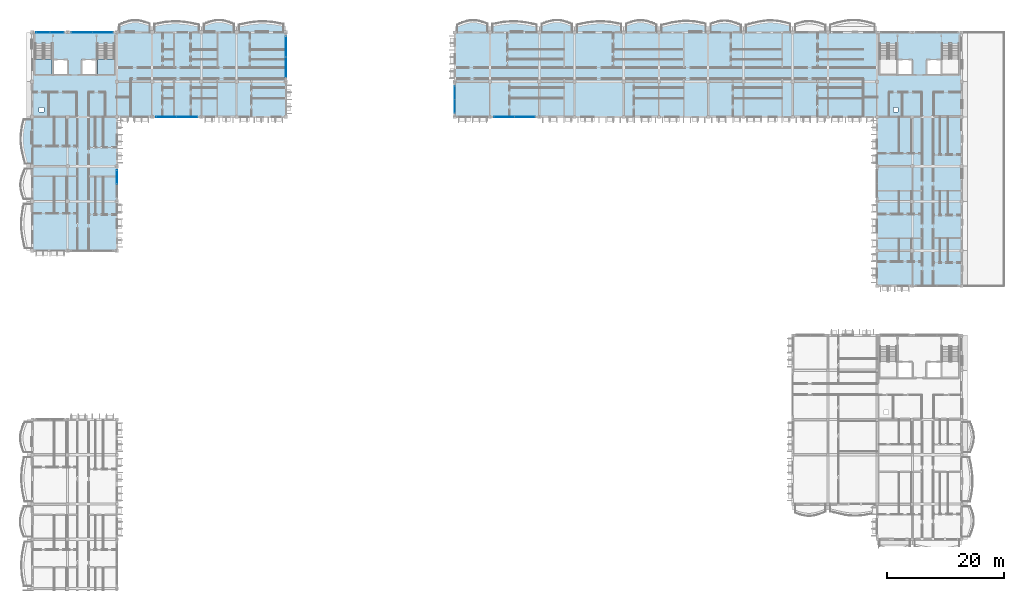
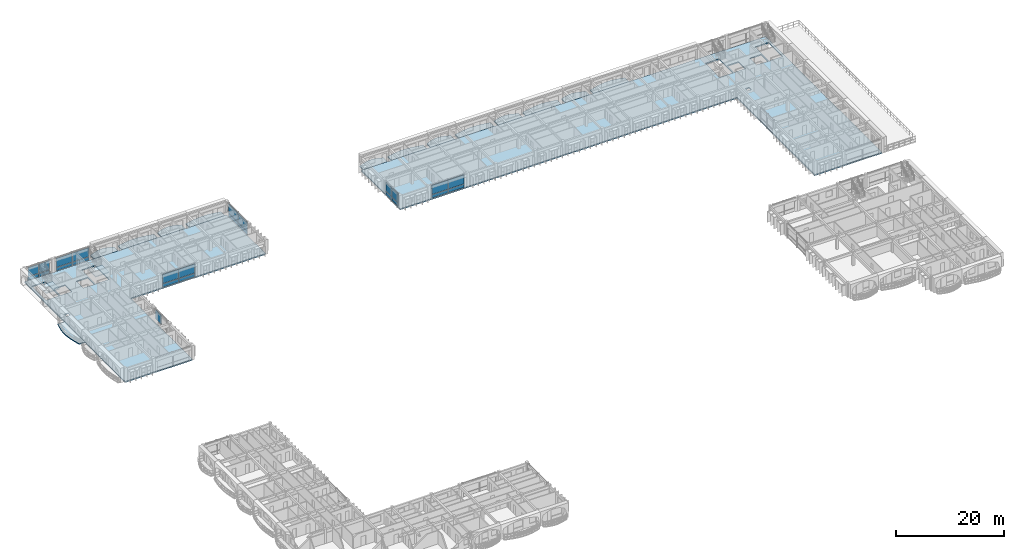
# One storey, part 19 of 68: 25 plates, 17 slabs, 9 elements without a shape of their own.
"""IFC4 building model written with IfcOpenShell, lengths in metres."""

from ifc_helpers import new_model, si_unit, direction, frame, origin, origin_2d, place, context, subcontext, project, spatial, polyline, rectangle, outline, extrude, material, layer, layer_set, type_object, element, aggregate, save


model = new_model("IFC4")

# Units and contexts
model_context = context("Model", 3, precision=1e-05, world=origin(), true_north=direction((0.0, 1.0)))
body_context = subcontext(model_context, "Body", "Model", "MODEL_VIEW")
ifc_project = project(units=[si_unit("LENGTHUNIT", "METRE"), si_unit("AREAUNIT", "SQUARE_METRE"), si_unit("VOLUMEUNIT", "CUBIC_METRE"), si_unit("PLANEANGLEUNIT", "RADIAN"), si_unit("MASSUNIT", "GRAM", prefix="KILO"), si_unit("THERMODYNAMICTEMPERATUREUNIT", "KELVIN")], contexts=[model_context])

# Site, building, storey
site_placement = place(None, origin())
site = spatial("IfcSite", under=ifc_project, at=site_placement, CompositionType="ELEMENT")
building_placement = place(site_placement, origin())
building = spatial("IfcBuilding", under=site, at=building_placement, Name="Thalorik Housing Commons", CompositionType="ELEMENT")
storey_placement = place(building_placement, frame((0.0, 0.0, 24.60009765625)))
storey = spatial("IfcBuildingStorey", under=building, at=storey_placement, Name="L07", CompositionType="ELEMENT", Elevation=24.60009765625)

# Curtain wall, plates
ifc_material_1 = material(Name="Anodised aluminium and solar-control low-E glass", Category="aluminium")
curtain_wall_type_1 = type_object("IfcCurtainWallType", Name="ARC-CW-LOUNGE", PredefinedType="USERDEFINED", material=ifc_material_1)
curtain_wall_1_placement = place(storey_placement, origin())
curtain_wall_1 = element("IfcCurtainWall", 1, at=curtain_wall_1_placement, inside=storey, type_object=curtain_wall_type_1, Name="L07 Curtain Wall CW-RES-L07-A-030", ObjectType="CURTAIN WALL", PredefinedType="USERDEFINED")
ifc_material_2 = material(Name="Cobalt blue enamelled aluminium spandrel panel", Category="aluminium")
ifc_layer_1 = layer(ifc_material_2, 0.0458984375, Name="Cobalt blue enamelled aluminium spandrel panel", Category="aluminium")
ifc_layer_set_1 = layer_set([ifc_layer_1], Name="Cobalt blue enamelled aluminium spandrel panel")
plate_type_1 = type_object("IfcPlateType", Name="ARC-CP-BLU-46", PredefinedType="CURTAIN_PANEL", material=ifc_layer_set_1)
plate_1_placement = place(storey_placement, frame((51.60009765625, 117.64990234375, 0.080078125), z_axis=(0.0, 0.0, 1.0), x_axis=(0.0, 1.0, 0.0)))
plate_1 = element("IfcPlate", 2, at=plate_1_placement, type_object=plate_type_1, Name="CW-RES-L07-A-030 Spandrel Panel 1", PredefinedType="CURTAIN_PANEL", context=body_context, shape_type="SweptSolid", body=[
    extrude(rectangle(XDim=3.43994140625, YDim=0.0458984375, at=origin_2d()), origin(), (0.0, 0.0, 1.0), 0.760009765625),
])
plate_2_placement = place(storey_placement, frame((51.60009765625, 121.14990234375, 0.080078125), z_axis=(0.0, 0.0, 1.0), x_axis=(0.0, 1.0, 0.0)))
plate_2 = element("IfcPlate", 3, at=plate_2_placement, type_object=plate_type_1, Name="CW-RES-L07-A-030 Spandrel Panel 2", PredefinedType="CURTAIN_PANEL", context=body_context, shape_type="SweptSolid", body=[
    extrude(rectangle(XDim=3.43994140625, YDim=0.0458984375, at=origin_2d()), origin(), (0.0, 0.0, 1.0), 0.760009765625),
])

curtain_wall_type_2 = type_object("IfcCurtainWallType", Name="ARC-CW-CORE", PredefinedType="USERDEFINED", material=ifc_material_1)
curtain_wall_2_placement = place(storey_placement, origin())
curtain_wall_2 = element("IfcCurtainWall", 4, at=curtain_wall_2_placement, inside=storey, type_object=curtain_wall_type_2, Name="L07 Curtain Wall CW-CORE-L07-A-032", ObjectType="CURTAIN WALL", PredefinedType="USERDEFINED")
plate_3_placement = place(storey_placement, frame((12.574951171875, 123.60009765625, 0.080078125), z_axis=(0.0, 0.0, 1.0), x_axis=(-1.0, 0.0, 0.0)))
plate_3 = element("IfcPlate", 5, at=plate_3_placement, type_object=plate_type_1, Name="CW-CORE-L07-A-032 Spandrel Panel 1", PredefinedType="CURTAIN_PANEL", context=body_context, shape_type="SweptSolid", body=[
    extrude(rectangle(XDim=2.2900390625, YDim=0.0458984375, at=origin_2d()), origin(), (0.0, 0.0, 1.0), 0.760009765625),
])
plate_4_placement = place(storey_placement, frame((10.22509765625, 123.60009765625, 0.080078125), z_axis=(0.0, 0.0, 1.0), x_axis=(-1.0, 0.0, 0.0)))
plate_4 = element("IfcPlate", 6, at=plate_4_placement, type_object=plate_type_1, Name="CW-CORE-L07-A-032 Spandrel Panel 2", PredefinedType="CURTAIN_PANEL", context=body_context, shape_type="SweptSolid", body=[
    extrude(rectangle(XDim=2.2900390625, YDim=0.0458984375, at=origin_2d()), origin(), (0.0, 0.0, 1.0), 0.760009765625),
])

curtain_wall_3_placement = place(storey_placement, origin())
curtain_wall_3 = element("IfcCurtainWall", 7, at=curtain_wall_3_placement, inside=storey, type_object=curtain_wall_type_1, Name="L07 Curtain Wall CW-RES-L07-B-104", ObjectType="CURTAIN WALL", PredefinedType="USERDEFINED")
plate_5_placement = place(storey_placement, frame((88.85009765625, 109.199951171875, 0.080078125), z_axis=(0.0, 0.0, 1.0), x_axis=(1.0, 0.0, 0.0)))
plate_5 = element("IfcPlate", 8, at=plate_5_placement, type_object=plate_type_1, Name="CW-RES-L07-B-104 Spandrel Panel 1", PredefinedType="CURTAIN_PANEL", context=body_context, shape_type="SweptSolid", body=[
    extrude(rectangle(XDim=3.43994140625, YDim=0.0458984375, at=origin_2d()), origin(), (0.0, 0.0, 1.0), 0.760009765625),
])
plate_6_placement = place(storey_placement, frame((92.35009765625, 109.199951171875, 0.080078125), z_axis=(0.0, 0.0, 1.0), x_axis=(1.0, 0.0, 0.0)))
plate_6 = element("IfcPlate", 9, at=plate_6_placement, type_object=plate_type_1, Name="CW-RES-L07-B-104 Spandrel Panel 2", PredefinedType="CURTAIN_PANEL", context=body_context, shape_type="SweptSolid", body=[
    extrude(rectangle(XDim=3.43994140625, YDim=0.0458984375, at=origin_2d()), origin(), (0.0, 0.0, 1.0), 0.760009765625),
])

curtain_wall_4_placement = place(storey_placement, origin())
curtain_wall_4 = element("IfcCurtainWall", 10, at=curtain_wall_4_placement, inside=storey, type_object=curtain_wall_type_1, Name="L07 Curtain Wall CW-RES-L07-A-029", ObjectType="CURTAIN WALL", PredefinedType="USERDEFINED")
ifc_material_3 = material(Name="Double solar-control low-E glass", Category="glass")
ifc_layer_2 = layer(ifc_material_3, 0.028076171875, Name="Double solar-control low-E glass", Category="glass")
ifc_layer_set_2 = layer_set([ifc_layer_2], Name="Double solar-control low-E glass")
plate_type_2 = type_object("IfcPlateType", Name="ARC-CP-GLZ-28", PredefinedType="CURTAIN_PANEL", material=ifc_layer_set_2)
plate_7_placement = place(storey_placement, frame((31.25, 109.199951171875, 0.919921875), z_axis=(0.0, 0.0, 1.0), x_axis=(1.0, 0.0, 0.0)))
plate_7 = element("IfcPlate", 11, at=plate_7_placement, type_object=plate_type_2, Name="CW-RES-L07-A-029 Vision Panel 1", PredefinedType="CURTAIN_PANEL", context=body_context, shape_type="SweptSolid", body=[
    extrude(rectangle(XDim=3.43994140625, YDim=0.028076171875, at=origin_2d()), origin(), (0.0, 0.0, 1.0), 2.0400390625),
])
plate_8_placement = place(storey_placement, frame((34.75, 109.199951171875, 0.919921875), z_axis=(0.0, 0.0, 1.0), x_axis=(1.0, 0.0, 0.0)))
plate_8 = element("IfcPlate", 12, at=plate_8_placement, type_object=plate_type_2, Name="CW-RES-L07-A-029 Vision Panel 2", PredefinedType="CURTAIN_PANEL", context=body_context, shape_type="SweptSolid", body=[
    extrude(rectangle(XDim=3.43994140625, YDim=0.028076171875, at=origin_2d()), origin(), (0.0, 0.0, 1.0), 2.0400390625),
])

# Plate
plate_9_placement = place(storey_placement, frame((51.60009765625, 117.64990234375, 0.919921875), z_axis=(0.0, 0.0, 1.0), x_axis=(0.0, 1.0, 0.0)))
plate_9 = element("IfcPlate", 13, at=plate_9_placement, type_object=plate_type_2, Name="CW-RES-L07-A-030 Vision Panel 1", PredefinedType="CURTAIN_PANEL", context=body_context, shape_type="SweptSolid", body=[
    extrude(rectangle(XDim=3.43994140625, YDim=0.028076171875, at=origin_2d()), origin(), (0.0, 0.0, 1.0), 2.0400390625),
])

plate_10_placement = place(storey_placement, frame((51.60009765625, 121.14990234375, 0.919921875), z_axis=(0.0, 0.0, 1.0), x_axis=(0.0, 1.0, 0.0)))
plate_10 = element("IfcPlate", 14, at=plate_10_placement, type_object=plate_type_2, Name="CW-RES-L07-A-030 Vision Panel 2", PredefinedType="CURTAIN_PANEL", context=body_context, shape_type="SweptSolid", body=[
    extrude(rectangle(XDim=3.43994140625, YDim=0.028076171875, at=origin_2d()), origin(), (0.0, 0.0, 1.0), 2.0400390625),
])

aggregate(curtain_wall_1, [plate_1, plate_9, plate_2, plate_10])

# Curtain wall, plates
curtain_wall_5_placement = place(storey_placement, origin())
curtain_wall_5 = element("IfcCurtainWall", 15, at=curtain_wall_5_placement, inside=storey, type_object=curtain_wall_type_2, Name="L07 Curtain Wall CW-CORE-L07-A-031", ObjectType="CURTAIN WALL", PredefinedType="USERDEFINED")
plate_11_placement = place(storey_placement, frame((20.375, 123.60009765625, 0.919921875), z_axis=(0.0, 0.0, 1.0), x_axis=(-1.0, 0.0, 0.0)))
plate_11 = element("IfcPlate", 16, at=plate_11_placement, type_object=plate_type_2, Name="CW-CORE-L07-A-031 Vision Panel 1", PredefinedType="CURTAIN_PANEL", context=body_context, shape_type="SweptSolid", body=[
    extrude(rectangle(XDim=3.489990234375, YDim=0.028076171875, at=origin_2d()), origin(), (0.0, 0.0, 1.0), 2.0400390625),
])
plate_12_placement = place(storey_placement, frame((16.824951171875, 123.60009765625, 0.919921875), z_axis=(0.0, 0.0, 1.0), x_axis=(-1.0, 0.0, 0.0)))
plate_12 = element("IfcPlate", 17, at=plate_12_placement, type_object=plate_type_2, Name="CW-CORE-L07-A-031 Vision Panel 2", PredefinedType="CURTAIN_PANEL", context=body_context, shape_type="SweptSolid", body=[
    extrude(rectangle(XDim=3.489990234375, YDim=0.028076171875, at=origin_2d()), origin(), (0.0, 0.0, 1.0), 2.0400390625),
])

# Plate
plate_13_placement = place(storey_placement, frame((12.574951171875, 123.60009765625, 0.919921875), z_axis=(0.0, 0.0, 1.0), x_axis=(-1.0, 0.0, 0.0)))
plate_13 = element("IfcPlate", 18, at=plate_13_placement, type_object=plate_type_2, Name="CW-CORE-L07-A-032 Vision Panel 1", PredefinedType="CURTAIN_PANEL", context=body_context, shape_type="SweptSolid", body=[
    extrude(rectangle(XDim=2.2900390625, YDim=0.028076171875, at=origin_2d()), origin(), (0.0, 0.0, 1.0), 2.0400390625),
])

plate_14_placement = place(storey_placement, frame((10.22509765625, 123.60009765625, 0.919921875), z_axis=(0.0, 0.0, 1.0), x_axis=(-1.0, 0.0, 0.0)))
plate_14 = element("IfcPlate", 19, at=plate_14_placement, type_object=plate_type_2, Name="CW-CORE-L07-A-032 Vision Panel 2", PredefinedType="CURTAIN_PANEL", context=body_context, shape_type="SweptSolid", body=[
    extrude(rectangle(XDim=2.2900390625, YDim=0.028076171875, at=origin_2d()), origin(), (0.0, 0.0, 1.0), 2.0400390625),
])

aggregate(curtain_wall_2, [plate_3, plate_13, plate_4, plate_14])

# Curtain wall, plate
curtain_wall_6_placement = place(storey_placement, origin())
curtain_wall_6 = element("IfcCurtainWall", 20, at=curtain_wall_6_placement, inside=storey, type_object=curtain_wall_type_1, Name="L07 Curtain Wall CW-RES-L07-A-035", ObjectType="CURTAIN WALL", PredefinedType="USERDEFINED")
plate_15_placement = place(storey_placement, frame((22.800048828125, 98.949951171875, 0.919921875), z_axis=(0.0, 0.0, 1.0), x_axis=(0.0, 1.0, 0.0)))
plate_15 = element("IfcPlate", 21, at=plate_15_placement, type_object=plate_type_2, Name="CW-RES-L07-A-035 Vision Panel 2", PredefinedType="CURTAIN_PANEL", context=body_context, shape_type="SweptSolid", body=[
    extrude(rectangle(XDim=2.239990234375, YDim=0.028076171875, at=origin_2d()), origin(), (0.0, 0.0, 1.0), 2.0400390625),
])
aggregate(curtain_wall_6, [plate_15])

# Curtain wall, plates
curtain_wall_7_placement = place(storey_placement, origin())
curtain_wall_7 = element("IfcCurtainWall", 22, at=curtain_wall_7_placement, inside=storey, type_object=curtain_wall_type_1, Name="L07 Curtain Wall CW-RES-L07-B-103", ObjectType="CURTAIN WALL", PredefinedType="USERDEFINED")
plate_16_placement = place(storey_placement, frame((80.39990234375, 113.35009765625, 0.919921875), z_axis=(0.0, 0.0, 1.0), x_axis=(0.0, -1.0, 0.0)))
plate_16 = element("IfcPlate", 23, at=plate_16_placement, type_object=plate_type_2, Name="CW-RES-L07-B-103 Vision Panel 1", PredefinedType="CURTAIN_PANEL", context=body_context, shape_type="SweptSolid", body=[
    extrude(rectangle(XDim=2.239990234375, YDim=0.028076171875, at=origin_2d()), origin(), (0.0, 0.0, 1.0), 2.0400390625),
])
plate_17_placement = place(storey_placement, frame((80.39990234375, 111.050048828125, 0.919921875), z_axis=(0.0, 0.0, 1.0), x_axis=(0.0, -1.0, 0.0)))
plate_17 = element("IfcPlate", 24, at=plate_17_placement, type_object=plate_type_2, Name="CW-RES-L07-B-103 Vision Panel 2", PredefinedType="CURTAIN_PANEL", context=body_context, shape_type="SweptSolid", body=[
    extrude(rectangle(XDim=2.239990234375, YDim=0.028076171875, at=origin_2d()), origin(), (0.0, 0.0, 1.0), 2.0400390625),
])

# Plate
plate_18_placement = place(storey_placement, frame((88.85009765625, 109.199951171875, 0.919921875), z_axis=(0.0, 0.0, 1.0), x_axis=(1.0, 0.0, 0.0)))
plate_18 = element("IfcPlate", 25, at=plate_18_placement, type_object=plate_type_2, Name="CW-RES-L07-B-104 Vision Panel 1", PredefinedType="CURTAIN_PANEL", context=body_context, shape_type="SweptSolid", body=[
    extrude(rectangle(XDim=3.43994140625, YDim=0.028076171875, at=origin_2d()), origin(), (0.0, 0.0, 1.0), 2.0400390625),
])

plate_19_placement = place(storey_placement, frame((92.35009765625, 109.199951171875, 0.919921875), z_axis=(0.0, 0.0, 1.0), x_axis=(1.0, 0.0, 0.0)))
plate_19 = element("IfcPlate", 26, at=plate_19_placement, type_object=plate_type_2, Name="CW-RES-L07-B-104 Vision Panel 2", PredefinedType="CURTAIN_PANEL", context=body_context, shape_type="SweptSolid", body=[
    extrude(rectangle(XDim=3.43994140625, YDim=0.028076171875, at=origin_2d()), origin(), (0.0, 0.0, 1.0), 2.0400390625),
])

aggregate(curtain_wall_3, [plate_5, plate_18, plate_6, plate_19])

ifc_material_4 = material(Name="Oxide red enamelled aluminium spandrel panel", Category="aluminium")
ifc_layer_3 = layer(ifc_material_4, 0.0419921875, Name="Oxide red enamelled aluminium spandrel panel", Category="aluminium")
ifc_layer_set_3 = layer_set([ifc_layer_3], Name="Oxide red enamelled aluminium spandrel panel")
plate_type_3 = type_object("IfcPlateType", Name="ARC-CP-RED-42", PredefinedType="CURTAIN_PANEL", material=ifc_layer_set_3)
plate_20_placement = place(storey_placement, frame((31.25, 109.199951171875, 0.080078125), z_axis=(0.0, 0.0, 1.0), x_axis=(1.0, 0.0, 0.0)))
plate_20 = element("IfcPlate", 27, at=plate_20_placement, type_object=plate_type_3, Name="CW-RES-L07-A-029 Spandrel Panel 1", PredefinedType="CURTAIN_PANEL", context=body_context, shape_type="SweptSolid", body=[
    extrude(rectangle(XDim=3.43994140625, YDim=0.0419921875, at=origin_2d()), origin(), (0.0, 0.0, 1.0), 0.760009765625),
])

plate_21_placement = place(storey_placement, frame((34.75, 109.199951171875, 0.080078125), z_axis=(0.0, 0.0, 1.0), x_axis=(1.0, 0.0, 0.0)))
plate_21 = element("IfcPlate", 28, at=plate_21_placement, type_object=plate_type_3, Name="CW-RES-L07-A-029 Spandrel Panel 2", PredefinedType="CURTAIN_PANEL", context=body_context, shape_type="SweptSolid", body=[
    extrude(rectangle(XDim=3.43994140625, YDim=0.0419921875, at=origin_2d()), origin(), (0.0, 0.0, 1.0), 0.760009765625),
])

aggregate(curtain_wall_4, [plate_20, plate_7, plate_21, plate_8])

plate_22_placement = place(storey_placement, frame((20.375, 123.60009765625, 0.080078125), z_axis=(0.0, 0.0, 1.0), x_axis=(-1.0, 0.0, 0.0)))
plate_22 = element("IfcPlate", 29, at=plate_22_placement, type_object=plate_type_3, Name="CW-CORE-L07-A-031 Spandrel Panel 1", PredefinedType="CURTAIN_PANEL", context=body_context, shape_type="SweptSolid", body=[
    extrude(rectangle(XDim=3.489990234375, YDim=0.0419921875, at=origin_2d()), origin(), (0.0, 0.0, 1.0), 0.760009765625),
])

plate_23_placement = place(storey_placement, frame((16.824951171875, 123.60009765625, 0.080078125), z_axis=(0.0, 0.0, 1.0), x_axis=(-1.0, 0.0, 0.0)))
plate_23 = element("IfcPlate", 30, at=plate_23_placement, type_object=plate_type_3, Name="CW-CORE-L07-A-031 Spandrel Panel 2", PredefinedType="CURTAIN_PANEL", context=body_context, shape_type="SweptSolid", body=[
    extrude(rectangle(XDim=3.489990234375, YDim=0.0419921875, at=origin_2d()), origin(), (0.0, 0.0, 1.0), 0.760009765625),
])

aggregate(curtain_wall_5, [plate_22, plate_11, plate_23, plate_12])

ifc_material_5 = material(Name="Mineral ochre yellow aluminium spandrel panel", Category="aluminium")
ifc_layer_4 = layer(ifc_material_5, 0.050048828125, Name="Mineral ochre yellow aluminium spandrel panel", Category="aluminium")
ifc_layer_set_4 = layer_set([ifc_layer_4], Name="Mineral ochre yellow aluminium spandrel panel")
plate_type_4 = type_object("IfcPlateType", Name="ARC-CP-YEL-50", PredefinedType="CURTAIN_PANEL", material=ifc_layer_set_4)
plate_24_placement = place(storey_placement, frame((80.39990234375, 113.35009765625, 0.080078125), z_axis=(0.0, 0.0, 1.0), x_axis=(0.0, -1.0, 0.0)))
plate_24 = element("IfcPlate", 31, at=plate_24_placement, type_object=plate_type_4, Name="CW-RES-L07-B-103 Spandrel Panel 1", PredefinedType="CURTAIN_PANEL", context=body_context, shape_type="SweptSolid", body=[
    extrude(rectangle(XDim=2.239990234375, YDim=0.050048828125, at=origin_2d()), origin(), (0.0, 0.0, 1.0), 0.760009765625),
])

plate_25_placement = place(storey_placement, frame((80.39990234375, 111.050048828125, 0.080078125), z_axis=(0.0, 0.0, 1.0), x_axis=(0.0, -1.0, 0.0)))
plate_25 = element("IfcPlate", 32, at=plate_25_placement, type_object=plate_type_4, Name="CW-RES-L07-B-103 Spandrel Panel 2", PredefinedType="CURTAIN_PANEL", context=body_context, shape_type="SweptSolid", body=[
    extrude(rectangle(XDim=2.239990234375, YDim=0.050048828125, at=origin_2d()), origin(), (0.0, 0.0, 1.0), 0.760009765625),
])

aggregate(curtain_wall_7, [plate_24, plate_16, plate_25, plate_17])

# Stair, slab
ifc_material_6 = material(Name="Precast concrete C40/50", Category="concrete")
stair_type = type_object("IfcStairType", Name="ARC-STR-1350-R20", PredefinedType="HALF_TURN_STAIR", material=ifc_material_6)
stair_1_placement = place(storey_placement, origin())
stair_1 = element("IfcStair", 33, at=stair_1_placement, inside=storey, type_object=stair_type, Name="L07 Block A Smoke-Proof Stair 1", PredefinedType="HALF_TURN_STAIR")
ifc_layer_5 = layer(ifc_material_6, 0.199951171875, Name="Precast concrete C40/50", Category="concrete")
ifc_layer_set_5 = layer_set([ifc_layer_5], Name="Precast concrete C40/50")
slab_type_1 = type_object("IfcSlabType", Name="ARC-SLB-STLND-200", PredefinedType="LANDING", material=ifc_layer_set_5)
slab_1_placement = place(storey_placement, frame((0.0, 0.0, 1.449951171875)))
slab_1 = element("IfcSlab", 34, at=slab_1_placement, type_object=slab_type_1, Name="ST-A1 landing 1", PredefinedType="LANDING", context=body_context, shape_type="SweptSolid", body=[
    extrude(outline(polyline([(8.85009765625, 119.090087890625), (8.85009765625, 116.449951171875), (11.75, 116.449951171875), (11.75, 119.090087890625), (8.85009765625, 119.090087890625)])), origin(), (0.0, 0.0, 1.0), 0.199951171875),
])
aggregate(stair_1, [slab_1])

stair_2_placement = place(storey_placement, origin())
stair_2 = element("IfcStair", 35, at=stair_2_placement, inside=storey, type_object=stair_type, Name="L07 Block A Smoke-Proof Stair 2", PredefinedType="HALF_TURN_STAIR")
slab_2_placement = place(storey_placement, frame((0.0, 0.0, 1.449951171875)))
slab_2 = element("IfcSlab", 36, at=slab_2_placement, type_object=slab_type_1, Name="ST-A2 landing 1", PredefinedType="LANDING", context=body_context, shape_type="SweptSolid", body=[
    extrude(outline(polyline([(19.449951171875, 119.090087890625), (19.449951171875, 116.449951171875), (22.35009765625, 116.449951171875), (22.35009765625, 119.090087890625), (19.449951171875, 119.090087890625)])), origin(), (0.0, 0.0, 1.0), 0.199951171875),
])
aggregate(stair_2, [slab_2])

# Slabs
ifc_layer_6 = layer(ifc_material_6, 0.199951171875, Name="Precast concrete C40/50", Category="concrete")
ifc_layer_set_6 = layer_set([ifc_layer_6], Name="Precast concrete C40/50")
slab_type_2 = type_object("IfcSlabType", Name="STR-SLB-BALC-200", PredefinedType="FLOOR", material=ifc_layer_set_6)
slab_3_placement = place(storey_placement, frame((0.0, 0.0, -0.2001953125)))
element("IfcSlab", 37, at=slab_3_placement, inside=storey, type_object=slab_type_2, Name="L07 Block A Cushion Balcony 48", PredefinedType="FLOOR", context=body_context, shape_type="SweptSolid", body=[
    extrude(outline(polyline([(23.219970703125, 123.60009765625), (28.3798828125, 123.60009765625), (28.3798828125, 125.081298828125), (27.949951171875, 125.2451171875), (27.52001953125, 125.393798828125), (27.090087890625, 125.517822265625), (26.659912109375, 125.608154296875), (26.22998046875, 125.658447265625), (25.800048828125, 125.6650390625), (25.3701171875, 125.627197265625), (24.93994140625, 125.54638671875), (24.510009765625, 125.427978515625), (24.080078125, 125.279296875), (23.64990234375, 125.109375), (23.219970703125, 124.92919921875), (23.219970703125, 123.60009765625)])), origin(), (0.0, 0.0, 1.0), 0.2001953125),
])
slab_4_placement = place(storey_placement, frame((0.0, 0.0, -0.2001953125)))
element("IfcSlab", 38, at=slab_4_placement, inside=storey, type_object=slab_type_2, Name="L07 Block A Cushion Balcony 50", PredefinedType="FLOOR", context=body_context, shape_type="SweptSolid", body=[
    extrude(outline(polyline([(37.6201171875, 123.60009765625), (42.780029296875, 123.60009765625), (42.780029296875, 125.020263671875), (42.35009765625, 125.19775390625), (41.919921875, 125.362060546875), (41.489990234375, 125.50244140625), (41.06005859375, 125.609619140625), (40.6298828125, 125.677001953125), (40.199951171875, 125.699951171875), (39.77001953125, 125.677001953125), (39.340087890625, 125.609619140625), (38.909912109375, 125.50244140625), (38.47998046875, 125.362060546875), (38.050048828125, 125.19775390625), (37.6201171875, 125.020263671875), (37.6201171875, 123.60009765625)])), origin(), (0.0, 0.0, 1.0), 0.2001953125),
])
slab_5_placement = place(storey_placement, frame((0.0, 0.0, -0.2001953125)))
element("IfcSlab", 39, at=slab_5_placement, inside=storey, type_object=slab_type_2, Name="L07 Block B Cushion Balcony 186", PredefinedType="FLOOR", context=body_context, shape_type="SweptSolid", body=[
    extrude(outline(polyline([(80.820068359375, 123.60009765625), (85.97998046875, 123.60009765625), (85.97998046875, 125.081298828125), (85.550048828125, 125.2451171875), (85.1201171875, 125.393798828125), (84.68994140625, 125.517822265625), (84.260009765625, 125.608154296875), (83.830078125, 125.658447265625), (83.39990234375, 125.6650390625), (82.969970703125, 125.627197265625), (82.5400390625, 125.54638671875), (82.110107421875, 125.427978515625), (81.679931640625, 125.279296875), (81.25, 125.109375), (80.820068359375, 124.92919921875), (80.820068359375, 123.60009765625)])), origin(), (0.0, 0.0, 1.0), 0.2001953125),
])
slab_6_placement = place(storey_placement, frame((0.0, 0.0, -0.2001953125)))
element("IfcSlab", 40, at=slab_6_placement, inside=storey, type_object=slab_type_2, Name="L07 Block B Cushion Balcony 188", PredefinedType="FLOOR", context=body_context, shape_type="SweptSolid", body=[
    extrude(outline(polyline([(95.219970703125, 123.60009765625), (100.3798828125, 123.60009765625), (100.3798828125, 125.020263671875), (99.949951171875, 125.19775390625), (99.52001953125, 125.362060546875), (99.090087890625, 125.50244140625), (98.659912109375, 125.609619140625), (98.22998046875, 125.677001953125), (97.800048828125, 125.699951171875), (97.3701171875, 125.677001953125), (96.93994140625, 125.609619140625), (96.510009765625, 125.50244140625), (96.080078125, 125.362060546875), (95.64990234375, 125.19775390625), (95.219970703125, 125.020263671875), (95.219970703125, 123.60009765625)])), origin(), (0.0, 0.0, 1.0), 0.2001953125),
])
slab_7_placement = place(storey_placement, frame((0.0, 0.0, -0.2001953125)))
element("IfcSlab", 41, at=slab_7_placement, inside=storey, type_object=slab_type_2, Name="L07 Block B Cushion Balcony 190", PredefinedType="FLOOR", context=body_context, shape_type="SweptSolid", body=[
    extrude(outline(polyline([(109.6201171875, 123.60009765625), (114.780029296875, 123.60009765625), (114.780029296875, 124.92919921875), (114.35009765625, 125.109375), (113.919921875, 125.279296875), (113.489990234375, 125.427978515625), (113.06005859375, 125.54638671875), (112.6298828125, 125.627197265625), (112.199951171875, 125.6650390625), (111.77001953125, 125.658447265625), (111.340087890625, 125.608154296875), (110.909912109375, 125.517822265625), (110.47998046875, 125.393798828125), (110.050048828125, 125.2451171875), (109.6201171875, 125.081298828125), (109.6201171875, 123.60009765625)])), origin(), (0.0, 0.0, 1.0), 0.2001953125),
])
slab_8_placement = place(storey_placement, frame((0.0, 0.0, -0.2001953125)))
element("IfcSlab", 42, at=slab_8_placement, inside=storey, type_object=slab_type_2, Name="L07 Block B Cushion Balcony 192", PredefinedType="FLOOR", context=body_context, shape_type="SweptSolid", body=[
    extrude(outline(polyline([(124.02001953125, 123.60009765625), (129.179931640625, 123.60009765625), (129.179931640625, 124.861572265625), (128.75, 125.031494140625), (128.320068359375, 125.19384765625), (127.889892578125, 125.338134765625), (127.4599609375, 125.455322265625), (127.030029296875, 125.5380859375), (126.60009765625, 125.5810546875), (126.169921875, 125.582275390625), (125.739990234375, 125.54248046875), (125.31005859375, 125.465087890625), (124.8798828125, 125.356201171875), (124.449951171875, 125.223388671875), (124.02001953125, 125.076416015625), (124.02001953125, 123.60009765625)])), origin(), (0.0, 0.0, 1.0), 0.2001953125),
])
ifc_layer_7 = layer(ifc_material_6, 0.219970703125, Name="Precast concrete C40/50", Category="concrete")
ifc_layer_set_7 = layer_set([ifc_layer_7], Name="Precast concrete C40/50")
slab_type_3 = type_object("IfcSlabType", Name="STR-SLB-BALC-220", PredefinedType="FLOOR", material=ifc_layer_set_7)
slab_9_placement = place(storey_placement, frame((0.0, 0.0, -0.22021484375)))
element("IfcSlab", 43, at=slab_9_placement, inside=storey, type_object=slab_type_3, Name="L07 Block A Cushion Balcony 49", PredefinedType="FLOOR", context=body_context, shape_type="SweptSolid", body=[
    extrude(outline(polyline([(29.219970703125, 123.60009765625), (36.780029296875, 123.60009765625), (36.780029296875, 124.93212890625), (36.14990234375, 125.061279296875), (35.52001953125, 125.1845703125), (34.889892578125, 125.293701171875), (34.260009765625, 125.381591796875), (33.6298828125, 125.44189453125), (33.0, 125.47119140625), (32.3701171875, 125.466796875), (31.739990234375, 125.42919921875), (31.110107421875, 125.360595703125), (30.47998046875, 125.265625), (29.85009765625, 125.150634765625), (29.219970703125, 125.02294921875), (29.219970703125, 123.60009765625)])), origin(), (0.0, 0.0, 1.0), 0.22021484375),
])
slab_10_placement = place(storey_placement, frame((0.0, 0.0, -0.22021484375)))
element("IfcSlab", 44, at=slab_10_placement, inside=storey, type_object=slab_type_3, Name="L07 Block A Cushion Balcony 51", PredefinedType="FLOOR", context=body_context, shape_type="SweptSolid", body=[
    extrude(outline(polyline([(43.6201171875, 123.60009765625), (51.179931640625, 123.60009765625), (51.179931640625, 125.02294921875), (50.550048828125, 125.150634765625), (49.919921875, 125.265625), (49.2900390625, 125.360595703125), (48.659912109375, 125.42919921875), (48.030029296875, 125.466796875), (47.39990234375, 125.47119140625), (46.77001953125, 125.44189453125), (46.139892578125, 125.381591796875), (45.510009765625, 125.293701171875), (44.8798828125, 125.1845703125), (44.25, 125.061279296875), (43.6201171875, 124.93212890625), (43.6201171875, 123.60009765625)])), origin(), (0.0, 0.0, 1.0), 0.22021484375),
])
slab_11_placement = place(storey_placement, frame((0.0, 0.0, -0.22021484375)))
element("IfcSlab", 45, at=slab_11_placement, inside=storey, type_object=slab_type_3, Name="L07 Block A Cushion Balcony 54", PredefinedType="FLOOR", context=body_context, shape_type="SweptSolid", body=[
    extrude(outline(polyline([(8.39990234375, 101.219970703125), (8.39990234375, 108.780029296875), (6.912353515625, 108.780029296875), (6.755859375, 108.14990234375), (6.618896484375, 107.52001953125), (6.510986328125, 106.889892578125), (6.438720703125, 106.260009765625), (6.40771484375, 105.6298828125), (6.4189453125, 105.0), (6.47216796875, 104.3701171875), (6.563232421875, 103.739990234375), (6.685546875, 103.110107421875), (6.8310546875, 102.47998046875), (6.9892578125, 101.85009765625), (7.149658203125, 101.219970703125), (8.39990234375, 101.219970703125)])), origin(), (0.0, 0.0, 1.0), 0.22021484375),
])
slab_12_placement = place(storey_placement, frame((0.0, 0.0, -0.22021484375)))
element("IfcSlab", 46, at=slab_12_placement, inside=storey, type_object=slab_type_3, Name="L07 Block B Cushion Balcony 187", PredefinedType="FLOOR", context=body_context, shape_type="SweptSolid", body=[
    extrude(outline(polyline([(86.820068359375, 123.60009765625), (94.3798828125, 123.60009765625), (94.3798828125, 124.93212890625), (93.75, 125.061279296875), (93.1201171875, 125.1845703125), (92.489990234375, 125.293701171875), (91.860107421875, 125.381591796875), (91.22998046875, 125.44189453125), (90.60009765625, 125.47119140625), (89.969970703125, 125.466796875), (89.340087890625, 125.42919921875), (88.7099609375, 125.360595703125), (88.080078125, 125.265625), (87.449951171875, 125.150634765625), (86.820068359375, 125.02294921875), (86.820068359375, 123.60009765625)])), origin(), (0.0, 0.0, 1.0), 0.22021484375),
])
slab_13_placement = place(storey_placement, frame((0.0, 0.0, -0.22021484375)))
element("IfcSlab", 47, at=slab_13_placement, inside=storey, type_object=slab_type_3, Name="L07 Block B Cushion Balcony 189", PredefinedType="FLOOR", context=body_context, shape_type="SweptSolid", body=[
    extrude(outline(polyline([(101.219970703125, 123.60009765625), (108.780029296875, 123.60009765625), (108.780029296875, 125.02294921875), (108.14990234375, 125.150634765625), (107.52001953125, 125.265625), (106.889892578125, 125.360595703125), (106.260009765625, 125.42919921875), (105.6298828125, 125.466796875), (105.0, 125.47119140625), (104.3701171875, 125.44189453125), (103.739990234375, 125.381591796875), (103.110107421875, 125.293701171875), (102.47998046875, 125.1845703125), (101.85009765625, 125.061279296875), (101.219970703125, 124.93212890625), (101.219970703125, 123.60009765625)])), origin(), (0.0, 0.0, 1.0), 0.22021484375),
])
slab_14_placement = place(storey_placement, frame((0.0, 0.0, -0.22021484375)))
element("IfcSlab", 48, at=slab_14_placement, inside=storey, type_object=slab_type_3, Name="L07 Block B Cushion Balcony 191", PredefinedType="FLOOR", context=body_context, shape_type="SweptSolid", body=[
    extrude(outline(polyline([(115.6201171875, 123.60009765625), (123.179931640625, 123.60009765625), (123.179931640625, 125.082275390625), (122.550048828125, 125.226318359375), (121.919921875, 125.352294921875), (121.2900390625, 125.45166015625), (120.659912109375, 125.517578125), (120.030029296875, 125.546142578125), (119.39990234375, 125.535400390625), (118.77001953125, 125.486572265625), (118.139892578125, 125.402587890625), (117.510009765625, 125.2900390625), (116.8798828125, 125.156494140625), (116.25, 125.0107421875), (115.6201171875, 124.863037109375), (115.6201171875, 123.60009765625)])), origin(), (0.0, 0.0, 1.0), 0.22021484375),
])
slab_15_placement = place(storey_placement, frame((0.0, 0.0, -0.22021484375)))
element("IfcSlab", 49, at=slab_15_placement, inside=storey, type_object=slab_type_3, Name="L07 Block B Cushion Balcony 193", PredefinedType="FLOOR", context=body_context, shape_type="SweptSolid", body=[
    extrude(outline(polyline([(130.02001953125, 123.60009765625), (137.580078125, 123.60009765625), (137.580078125, 125.074951171875), (136.949951171875, 125.244140625), (136.320068359375, 125.3935546875), (135.68994140625, 125.513427734375), (135.06005859375, 125.59521484375), (134.429931640625, 125.6337890625), (133.800048828125, 125.62646484375), (133.169921875, 125.57421875), (132.5400390625, 125.48046875), (131.909912109375, 125.351806640625), (131.280029296875, 125.19775390625), (130.64990234375, 125.028564453125), (130.02001953125, 124.855712890625), (130.02001953125, 123.60009765625)])), origin(), (0.0, 0.0, 1.0), 0.22021484375),
])
ifc_material_7 = material(Name="Precast concrete C45/55", Category="concrete")
ifc_layer_8 = layer(ifc_material_7, 0.260009765625, Name="Precast concrete C45/55", Category="concrete")
ifc_layer_set_8 = layer_set([ifc_layer_8], Name="Precast concrete C45/55")
slab_type_4 = type_object("IfcSlabType", Name="STR-SLB-HC-260", PredefinedType="FLOOR", material=ifc_layer_set_8)
slab_16_placement = place(storey_placement, frame((0.0, 0.0, -0.260009765625)))
element("IfcSlab", 50, at=slab_16_placement, inside=storey, type_object=slab_type_4, Name="L07 Residential Block A Floor Slab", PredefinedType="FLOOR", context=body_context, shape_type="SweptSolid", body=[
    extrude(outline(polyline([(8.39990234375, 123.60009765625), (8.39990234375, 109.199951171875), (8.39990234375, 86.39990234375), (22.800048828125, 86.39990234375), (22.800048828125, 109.199951171875), (51.60009765625, 109.199951171875), (51.60009765625, 123.60009765625), (8.39990234375, 123.60009765625)]), holes=[polyline([(8.85009765625, 121.64990234375), (11.75, 121.64990234375), (11.75, 116.449951171875), (8.85009765625, 116.449951171875), (8.85009765625, 121.64990234375)]), polyline([(22.35009765625, 121.64990234375), (22.35009765625, 116.449951171875), (19.449951171875, 116.449951171875), (19.449951171875, 121.64990234375), (22.35009765625, 121.64990234375)]), polyline([(14.39990234375, 119.0), (14.39990234375, 116.449951171875), (12.0, 116.449951171875), (12.0, 119.0), (14.39990234375, 119.0)]), polyline([(19.199951171875, 116.449951171875), (16.800048828125, 116.449951171875), (16.800048828125, 119.0), (19.199951171875, 119.0), (19.199951171875, 116.449951171875)]), polyline([(9.550048828125, 110.050048828125), (9.550048828125, 110.85009765625), (10.35009765625, 110.85009765625), (10.35009765625, 110.050048828125), (9.550048828125, 110.050048828125)])]), origin(), (0.0, 0.0, 1.0), 0.260009765625),
])
slab_17_placement = place(storey_placement, frame((0.0, 0.0, -0.260009765625)))
element("IfcSlab", 51, at=slab_17_placement, inside=storey, type_object=slab_type_4, Name="L07 Residential Block B Floor Slab", PredefinedType="FLOOR", context=body_context, shape_type="SweptSolid", body=[
    extrude(outline(polyline([(80.39990234375, 109.199951171875), (152.39990234375, 109.199951171875), (152.39990234375, 80.39990234375), (166.800048828125, 80.39990234375), (166.800048828125, 109.199951171875), (166.800048828125, 123.60009765625), (80.39990234375, 123.60009765625), (80.39990234375, 109.199951171875)]), holes=[polyline([(152.85009765625, 121.64990234375), (155.75, 121.64990234375), (155.75, 116.449951171875), (152.85009765625, 116.449951171875), (152.85009765625, 121.64990234375)]), polyline([(166.35009765625, 121.64990234375), (166.35009765625, 116.449951171875), (163.449951171875, 116.449951171875), (163.449951171875, 121.64990234375), (166.35009765625, 121.64990234375)]), polyline([(158.39990234375, 119.0), (158.39990234375, 116.449951171875), (156.0, 116.449951171875), (156.0, 119.0), (158.39990234375, 119.0)]), polyline([(163.199951171875, 116.449951171875), (160.800048828125, 116.449951171875), (160.800048828125, 119.0), (163.199951171875, 119.0), (163.199951171875, 116.449951171875)]), polyline([(155.14990234375, 110.050048828125), (155.14990234375, 110.85009765625), (155.949951171875, 110.85009765625), (155.949951171875, 110.050048828125), (155.14990234375, 110.050048828125)])]), origin(), (0.0, 0.0, 1.0), 0.260009765625),
])

save(model, "model.ifc")
